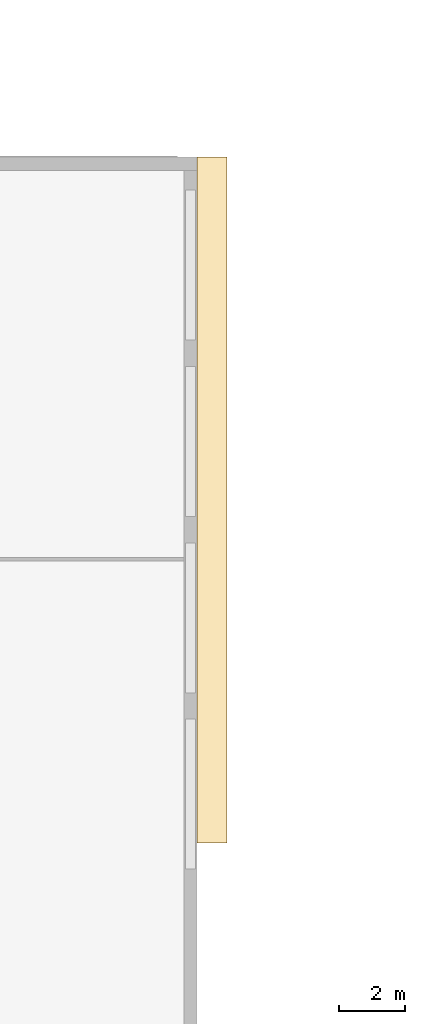
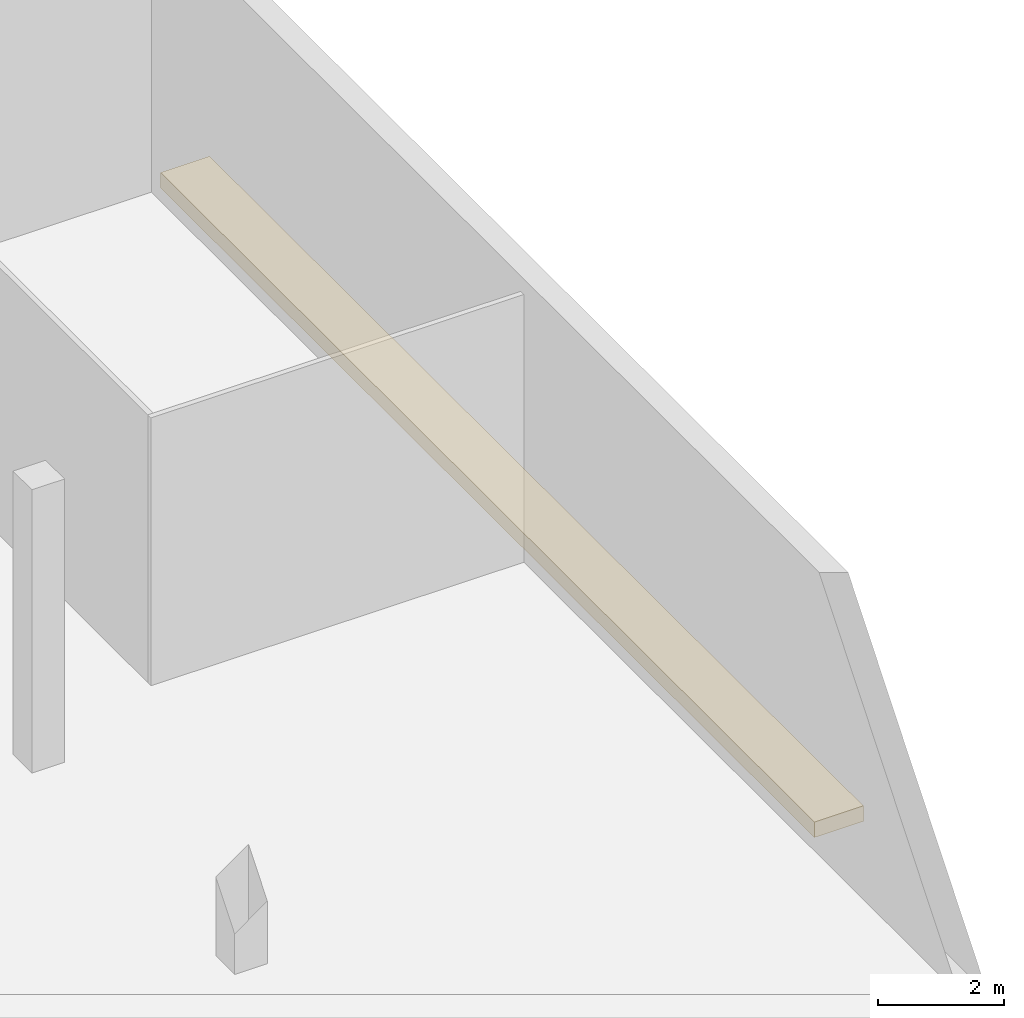
# One storey, part 38 of 69: 1 covering.
"""IFC4 building model written with IfcOpenShell, lengths in metres."""

from ifc_helpers import new_model, si_unit, direction, frame, origin, place, context, subcontext, project, spatial, polyline, outline, extrude, material, type_object, element, save


model = new_model("IFC4")

# Units and contexts
model_context = context("Model", 3, precision=1e-05, world=origin(), true_north=direction((0.0, 1.0)))
body_context = subcontext(model_context, "Body", "Model", "MODEL_VIEW")
ifc_project = project(units=[si_unit("LENGTHUNIT", "METRE"), si_unit("AREAUNIT", "SQUARE_METRE"), si_unit("VOLUMEUNIT", "CUBIC_METRE"), si_unit("PLANEANGLEUNIT", "RADIAN"), si_unit("MASSUNIT", "GRAM", prefix="KILO")], contexts=[model_context])

# Site, building, storey
site_placement = place(None, origin())
site = spatial("IfcSite", under=ifc_project, at=site_placement, CompositionType="ELEMENT")
building_placement = place(site_placement, origin())
building = spatial("IfcBuilding", under=site, at=building_placement, Name="Noorbagh Ring Tower", CompositionType="ELEMENT")
storey_placement = place(building_placement, frame((0.0, 0.0, 19.5)))
storey = spatial("IfcBuildingStorey", under=building, at=storey_placement, Name="L03", CompositionType="ELEMENT", Elevation=19.5)

# Covering
ifc_material = material(Name="Red sandstone eave", Category="masonry")
covering_type = type_object("IfcCoveringType", Name="STH-CHHAJJA", PredefinedType="USERDEFINED", material=ifc_material)
covering_placement = place(storey_placement, frame((0.0, 0.0, -0.300048828125)))
element("IfcCovering", 1, at=covering_placement, inside=storey, type_object=covering_type, Name="Chhajja eave", ObjectType="CHHAJJA", PredefinedType="USERDEFINED", context=body_context, shape_type="SweptSolid", body=[
    extrude(outline(polyline([(-95.0, 10.199951171875), (-95.0, 31.0), (-94.10009765625, 31.0), (-94.10009765625, 10.199951171875), (-95.0, 10.199951171875)])), origin(), (0.0, 0.0, 1.0), 0.300048828125),
])

save(model, "model.ifc")
